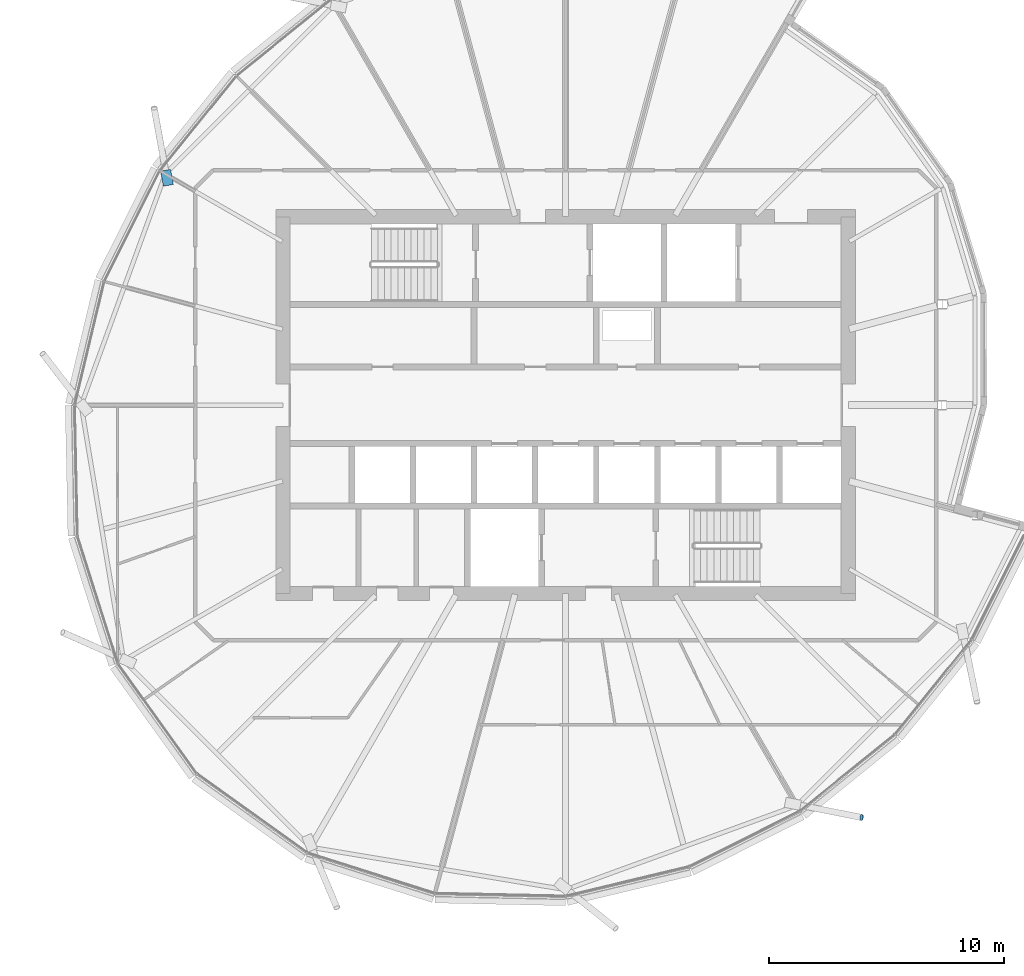
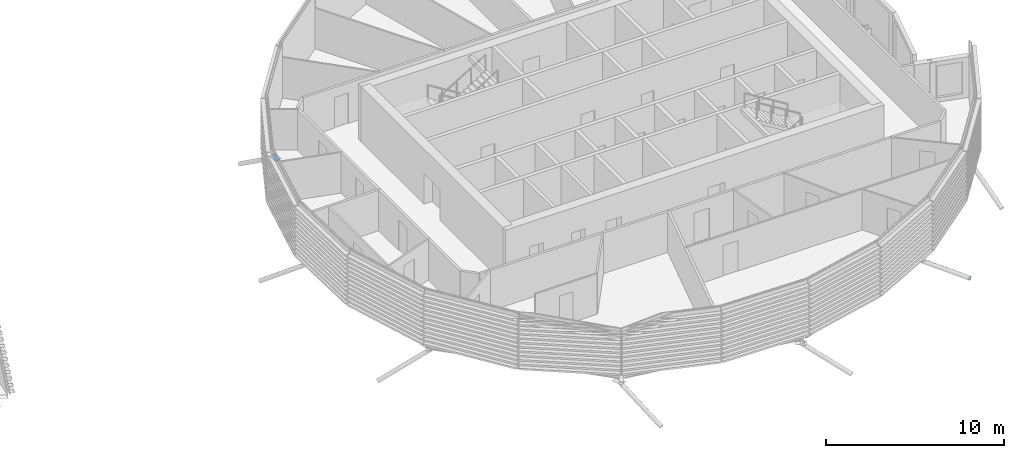
# One storey, part 29 of 37: 2 discrete accessories.
"""IFC4 building model written with IfcOpenShell, lengths in metres."""

from ifc_helpers import new_model, si_unit, direction, frame, origin, origin_2d, place, context, subcontext, project, spatial, polyline, rectangle, circle, outline, extrude, material, material_profile, profile_set, type_object, element, save


model = new_model("IFC4")

# Units and contexts
model_context = context("Model", 3, precision=1e-05, world=origin(), true_north=direction((0.0, 1.0)))
body_context = subcontext(model_context, "Body", "Model", "MODEL_VIEW")
ifc_project = project(units=[si_unit("LENGTHUNIT", "METRE"), si_unit("AREAUNIT", "SQUARE_METRE"), si_unit("VOLUMEUNIT", "CUBIC_METRE"), si_unit("PLANEANGLEUNIT", "RADIAN"), si_unit("MASSUNIT", "GRAM", prefix="KILO")], contexts=[model_context])

# Site, building, storey
site_placement = place(None, origin())
site = spatial("IfcSite", under=ifc_project, at=site_placement, CompositionType="ELEMENT")
building_placement = place(site_placement, origin())
building = spatial("IfcBuilding", under=site, at=building_placement, Name="Rimbun Link Towers", CompositionType="ELEMENT")
storey_placement = place(building_placement, frame((0.0, 0.0, 177.89990234375)))
storey = spatial("IfcBuildingStorey", under=building, at=storey_placement, Name="L43", CompositionType="ELEMENT", Elevation=177.89990234375)

# Discrete accessories
ifc_material_1 = material(Name="Steel S355J2H", Category="steel")
ifc_material_profile_1 = material_profile(ifc_material_1, circle(Radius=0.1240234375, at=origin_2d()), Name="PL D248")
ifc_profile_set_1 = profile_set([ifc_material_profile_1], Name="Steel S355J2H")
discrete_accessory_type_1 = type_object("IfcDiscreteAccessoryType", Name="Link foot sealing plate D248X20", PredefinedType="BRACKET", material=ifc_profile_set_1)
discrete_accessory_1_placement = place(storey_placement, frame((44.306884765625, -17.507080078125, -2.613525390625), z_axis=(0.828960140507, -0.15847767392, -0.536385973269), x_axis=(0.187775807301, 0.982211915114, 0.0)))
element("IfcDiscreteAccessory", 1, at=discrete_accessory_1_placement, inside=storey, type_object=discrete_accessory_type_1, Name="Link foot sealing plate T2 L43 17", PredefinedType="BRACKET", context=body_context, shape_type="SweptSolid", body=[
    extrude(circle(Radius=0.1240234375, at=origin_2d()), origin(), (0.0, 0.0, 1.0), 0.02001953125),
])
ifc_material_2 = material(Name="Steel S355J2H", Category="steel")
ifc_material_profile_2 = material_profile(ifc_material_2, rectangle(XDim=0.43310546875, YDim=0.43310546875, at=origin_2d()), Name="PL 433x433")
ifc_profile_set_2 = profile_set([ifc_material_profile_2], Name="Steel S355J2H")
discrete_accessory_type_2 = type_object("IfcDiscreteAccessoryType", Name="Link head end plate 433X20", PredefinedType="BRACKET", material=ifc_profile_set_2)
discrete_accessory_2_placement = place(storey_placement, frame((0.0, 0.0, -0.473388671875)))
element("IfcDiscreteAccessory", 2, at=discrete_accessory_2_placement, inside=storey, type_object=discrete_accessory_type_2, Name="Link head end plate T2 L43 07", PredefinedType="BRACKET", context=body_context, shape_type="SweptSolid", body=[
    extrude(outline(polyline([(15.0888671875, 9.374267578125), (14.9716796875, 10.01220703125), (14.5458984375, 9.93408203125), (14.662841796875, 9.2958984375), (15.0888671875, 9.374267578125)])), origin(), (0.0, 0.0, 1.0), 0.02001953125),
])

save(model, "model.ifc")
